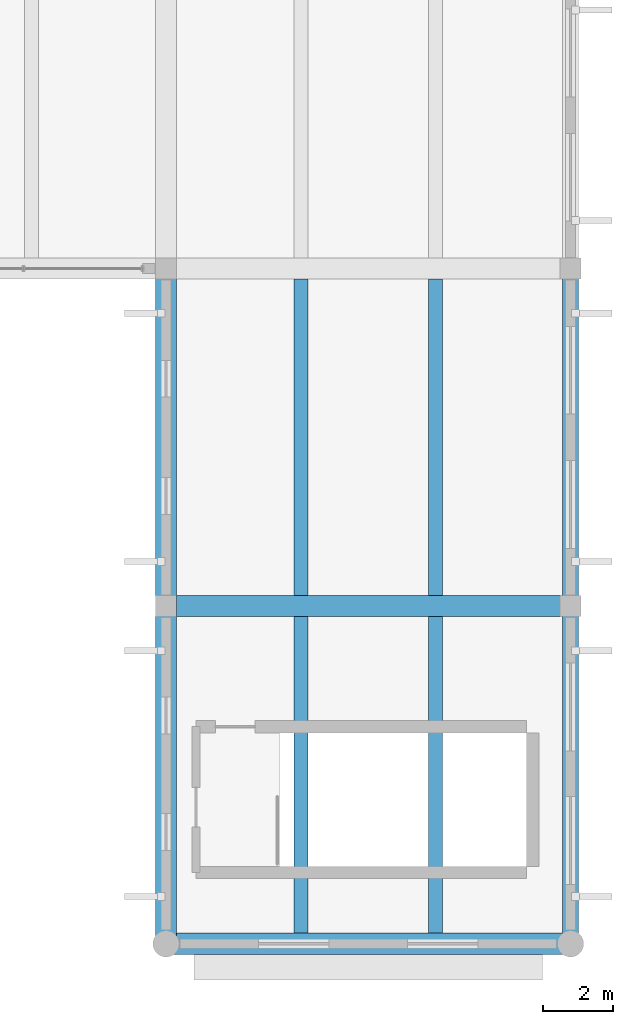
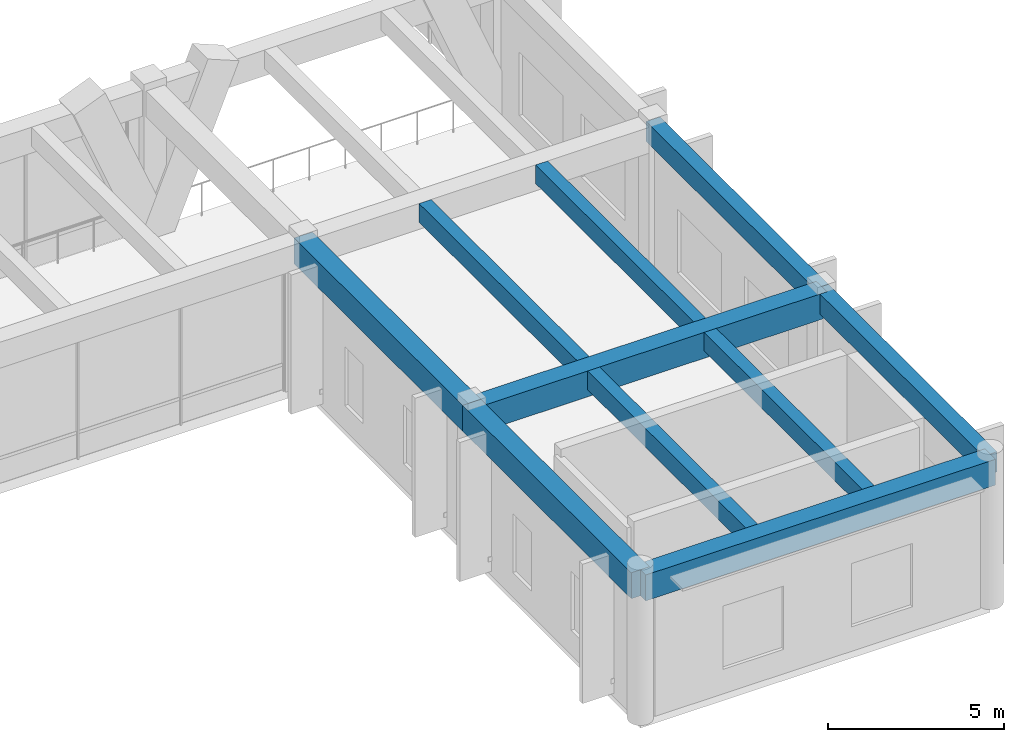
# One storey, part 92 of 148: 10 beams.
"""IFC4 building model written with IfcOpenShell, lengths in metres."""

from ifc_helpers import new_model, si_unit, direction, frame, origin, origin_2d, place, context, subcontext, project, spatial, rectangle, extrude, material, material_profile, profile_set, type_object, element, save


model = new_model("IFC4")

# Units and contexts
model_context = context("Model", 3, precision=1e-05, world=origin(), true_north=direction((0.0, 1.0)))
body_context = subcontext(model_context, "Body", "Model", "MODEL_VIEW")
ifc_project = project(units=[si_unit("LENGTHUNIT", "METRE"), si_unit("AREAUNIT", "SQUARE_METRE"), si_unit("VOLUMEUNIT", "CUBIC_METRE"), si_unit("PLANEANGLEUNIT", "RADIAN"), si_unit("MASSUNIT", "GRAM", prefix="KILO")], contexts=[model_context])

# Site, building, storey
site_placement = place(None, origin())
site = spatial("IfcSite", under=ifc_project, at=site_placement, CompositionType="ELEMENT")
building_placement = place(site_placement, origin())
building = spatial("IfcBuilding", under=site, at=building_placement, Name="Ologun Quay Terminus", CompositionType="ELEMENT")
storey_placement = place(building_placement, frame((0.0, 0.0, 8.39990234375)))
storey = spatial("IfcBuildingStorey", under=building, at=storey_placement, Name="L02", CompositionType="ELEMENT", Elevation=8.39990234375)

# Beams
ifc_material_1 = material(Name="Concrete C40/50", Category="concrete")
ifc_material_profile_1 = material_profile(ifc_material_1, rectangle(XDim=0.449951171875, YDim=0.699951171875, at=origin_2d()), Name="RC 450x700")
ifc_profile_set_1 = profile_set([ifc_material_profile_1], Name="Concrete C40/50")
beam_type_1 = type_object("IfcBeamType", Name="Perimeter Spandrel Beam 450x700", PredefinedType="SPANDREL", material=ifc_profile_set_1)
beam_1_placement = place(storey_placement, frame((184.0, 8.0, 4.800048828125), z_axis=(0.0, 1.0, 0.0), x_axis=(-1.0, 0.0, 0.0)))
element("IfcBeam", 1, at=beam_1_placement, inside=storey, type_object=beam_type_1, Name="SP1 Beam 17/B L02", PredefinedType="SPANDREL", context=body_context, shape_type="SweptSolid", body=[
    extrude(rectangle(XDim=0.449951171875, YDim=0.699951171875, at=origin_2d()), origin(), (0.0, 0.0, 1.0), 9.60009765625),
])
beam_2_placement = place(storey_placement, frame((184.0, 17.60009765625, 4.800048828125), z_axis=(0.0, 1.0, 0.0), x_axis=(-1.0, 0.0, 0.0)))
element("IfcBeam", 2, at=beam_2_placement, inside=storey, type_object=beam_type_1, Name="SP1 Beam 17/C L02", PredefinedType="SPANDREL", context=body_context, shape_type="SweptSolid", body=[
    extrude(rectangle(XDim=0.449951171875, YDim=0.699951171875, at=origin_2d()), origin(), (0.0, 0.0, 1.0), 9.599853515625),
])
ifc_material_2 = material(Name="Concrete C40/50", Category="concrete")
ifc_material_profile_2 = material_profile(ifc_material_2, rectangle(XDim=0.60009765625, YDim=0.89990234375, at=origin_2d()), Name="RC 600x900")
ifc_profile_set_2 = profile_set([ifc_material_profile_2], Name="Concrete C40/50")
beam_type_2 = type_object("IfcBeamType", Name="Station Frame Girder 600x900", PredefinedType="BEAM", material=ifc_profile_set_2)
for number, where, z_axis, x_axis, name in (
    (3, (172.5, 8.0, 4.7001953125), (1.0, 0.0, 0.0), (0.0, 1.0, 0.0), "B3 Beam 16/B L02"),
    (4, (172.5, 17.60009765625, 4.7001953125), (1.0, 0.0, 0.0), (0.0, 1.0, 0.0), "B3 Beam 16/C L02"),
):
    element("IfcBeam", number, at=place(storey_placement, frame(where, z_axis=z_axis, x_axis=x_axis)), inside=storey, type_object=beam_type_2, Name=name, PredefinedType="BEAM", context=body_context, shape_type="SweptSolid", body=[
        extrude(rectangle(XDim=0.60009765625, YDim=0.89990234375, at=origin_2d()), origin(), (0.0, 0.0, 1.0), 11.5),
    ])
beam_3_placement = place(storey_placement, frame((172.5, 8.0, 4.7001953125), z_axis=(0.0, 1.0, 0.0), x_axis=(-1.0, 0.0, 0.0)))
element("IfcBeam", 5, at=beam_3_placement, inside=storey, type_object=beam_type_2, Name="B3 Beam 16/B L02", PredefinedType="BEAM", context=body_context, shape_type="SweptSolid", body=[
    extrude(rectangle(XDim=0.60009765625, YDim=0.89990234375, at=origin_2d()), origin(), (0.0, 0.0, 1.0), 9.60009765625),
])
beam_4_placement = place(storey_placement, frame((172.5, 17.60009765625, 4.7001953125), z_axis=(0.0, 1.0, 0.0), x_axis=(-1.0, 0.0, 0.0)))
element("IfcBeam", 6, at=beam_4_placement, inside=storey, type_object=beam_type_2, Name="B3 Beam 16/C L02", PredefinedType="BEAM", context=body_context, shape_type="SweptSolid", body=[
    extrude(rectangle(XDim=0.60009765625, YDim=0.89990234375, at=origin_2d()), origin(), (0.0, 0.0, 1.0), 9.599853515625),
])
ifc_material_3 = material(Name="Concrete C40/50", Category="concrete")
ifc_material_profile_3 = material_profile(ifc_material_3, rectangle(XDim=0.39990234375, YDim=0.64990234375, at=origin_2d()), Name="RC 400x650")
ifc_profile_set_3 = profile_set([ifc_material_profile_3], Name="Concrete C40/50")
beam_type_3 = type_object("IfcBeamType", Name="Station Secondary Joist 400x650", PredefinedType="JOIST", material=ifc_profile_set_3)
for number, where, z_axis, x_axis, name in (
    (7, (176.333251953125, 8.300048828125, 4.8251953125), (0.0, 1.0, 0.0), (-1.0, 0.0, 0.0), "J1 Beam 16/B L02"),
    (8, (180.166748046875, 8.300048828125, 4.8251953125), (0.0, 1.0, 0.0), (-1.0, 0.0, 0.0), "J1 Beam 16/B L02"),
    (9, (176.333251953125, 17.89990234375, 4.8251953125), (0.0, 1.0, 0.0), (-1.0, 0.0, 0.0), "J1 Beam 16/C L02"),
    (10, (180.166748046875, 17.89990234375, 4.8251953125), (0.0, 1.0, 0.0), (-1.0, 0.0, 0.0), "J1 Beam 16/C L02"),
):
    element("IfcBeam", number, at=place(storey_placement, frame(where, z_axis=z_axis, x_axis=x_axis)), inside=storey, type_object=beam_type_3, Name=name, PredefinedType="JOIST", context=body_context, shape_type="SweptSolid", body=[
        extrude(rectangle(XDim=0.39990234375, YDim=0.64990234375, at=origin_2d()), origin(), (0.0, 0.0, 1.0), 9.0),
    ])

save(model, "model.ifc")
